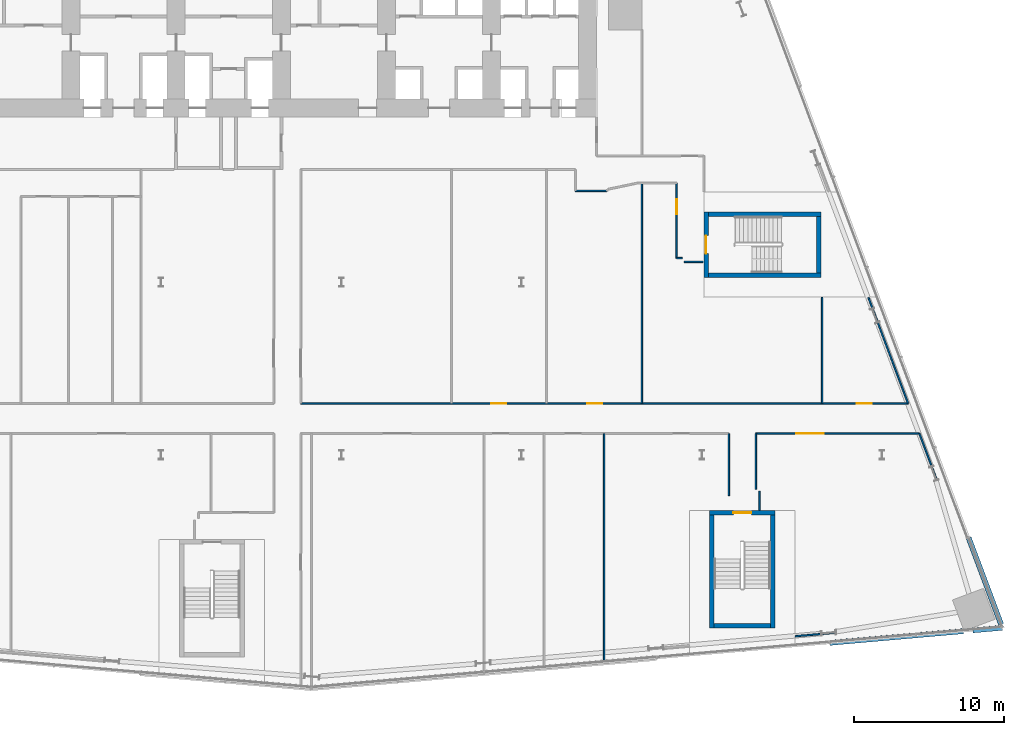
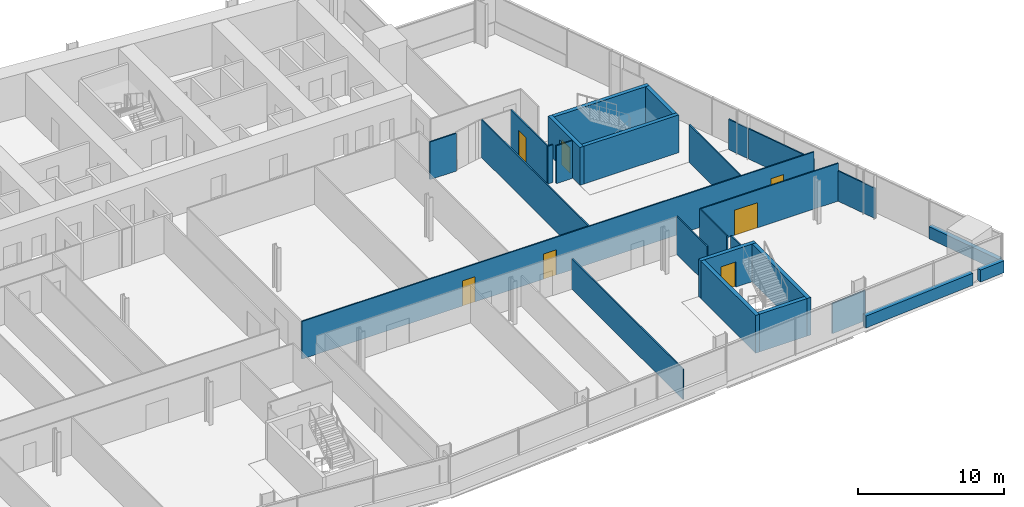
# One storey, part 18 of 24: 27 walls, 7 doors, 7 openings.
"""IFC4 building model written with IfcOpenShell, lengths in metres."""

from ifc_helpers import new_model, si_unit, direction, frame, frame_2d, origin, place, context, subcontext, project, spatial, rectangle, extrude, material, layer, layer_set, type_object, element, fill, save


model = new_model("IFC4")

# Units and contexts
model_context = context("Model", 3, precision=1e-05, world=origin(), true_north=direction((0.0, 1.0)))
body_context = subcontext(model_context, "Body", "Model", "MODEL_VIEW")
ifc_project = project(units=[si_unit("LENGTHUNIT", "METRE"), si_unit("AREAUNIT", "SQUARE_METRE"), si_unit("VOLUMEUNIT", "CUBIC_METRE"), si_unit("PLANEANGLEUNIT", "RADIAN"), si_unit("MASSUNIT", "GRAM", prefix="KILO")], contexts=[model_context])

# Site, building, storey
site_placement = place(None, origin())
site = spatial("IfcSite", under=ifc_project, at=site_placement, CompositionType="ELEMENT")
building_placement = place(site_placement, origin())
building = spatial("IfcBuilding", under=site, at=building_placement, Name="Wharfspan Tower", CompositionType="ELEMENT")
storey_placement = place(building_placement, frame((0.0, 0.0, 88.300049)))
storey = spatial("IfcBuildingStorey", under=building, at=storey_placement, Name="L19", CompositionType="ELEMENT", Elevation=88.300049)

# Wall, openings, doors
ifc_material_1 = material(Name="Gypsum board on steel studs", Category="steel")
ifc_layer_1 = layer(ifc_material_1, 0.100098)
ifc_layer_set_1 = layer_set([ifc_layer_1], Name="Gypsum board on steel studs")
wall_type_1 = type_object("IfcWallType", Name="Compartment wall 100 EI 60", PredefinedType="PARTITIONING", material=ifc_layer_set_1)
wall_1_placement = place(storey_placement, frame((45.300049, 14.929932, 0.0), z_axis=(0.0, 0.0, 1.0), x_axis=(1.0, 0.0, 0.0)))
wall_1 = element("IfcWall", 1, at=wall_1_placement, inside=storey, type_object=wall_type_1, Name="Partition L19.w034", PredefinedType="PARTITIONING", context=body_context, shape_type="SweptSolid", body=[
    extrude(rectangle(XDim=40.429932, YDim=0.100098, at=frame_2d((20.214844, 0.0))), origin(), (0.0, 0.0, 1.0), 3.149902),
])
opening_1_placement = place(wall_1_placement, frame((12.665039, 0.0, 0.0)))
opening_1 = element("IfcOpeningElement", 2, at=opening_1_placement, cuts=wall_1, Name="Opening A5-15", PredefinedType="OPENING", context=body_context, shape_type="SweptSolid", body=[
    extrude(rectangle(XDim=1.0, YDim=2.100098, at=frame_2d((0.5, 1.050049))), frame((0.0, 0.060059, 0.0), z_axis=(0.0, -1.0, 0.0), x_axis=(1.0, 0.0, 0.0)), (0.0, 0.0, 1.0), 0.120117),
])
opening_2_placement = place(wall_1_placement, frame((19.080078, 0.0, 0.0)))
opening_2 = element("IfcOpeningElement", 3, at=opening_2_placement, cuts=wall_1, Name="Opening A5-16", PredefinedType="OPENING", context=body_context, shape_type="SweptSolid", body=[
    extrude(rectangle(XDim=1.0, YDim=2.100098, at=frame_2d((0.5, 1.050049))), frame((0.0, 0.060059, 0.0), z_axis=(0.0, -1.0, 0.0), x_axis=(1.0, 0.0, 0.0)), (0.0, 0.0, 1.0), 0.120117),
])
opening_3_placement = place(wall_1_placement, frame((37.015381, 0.0, 0.0)))
opening_3 = element("IfcOpeningElement", 4, at=opening_3_placement, cuts=wall_1, Name="Opening A5-17", PredefinedType="OPENING", context=body_context, shape_type="SweptSolid", body=[
    extrude(rectangle(XDim=1.0, YDim=2.100098, at=frame_2d((0.5, 1.050049))), frame((0.0, 0.060059, 0.0), z_axis=(0.0, -1.0, 0.0), x_axis=(1.0, 0.0, 0.0)), (0.0, 0.0, 1.0), 0.120117),
])
ifc_material_2 = material(Name="Fire-rated timber door leaf in steel frame", Category="steel")
door_type_1 = type_object("IfcDoorType", Name="Door 1000 FD30S Left", OperationType="SINGLE_SWING_LEFT", PredefinedType="DOOR", material=ifc_material_2)
door_1_placement = place(opening_1_placement, origin())
door_1 = element("IfcDoor", 5, at=door_1_placement, inside=storey, type_object=door_type_1, Name="Door A5-15", OperationType="SINGLE_SWING_LEFT", OverallHeight=2.100098, OverallWidth=1.0, PredefinedType="DOOR", context=body_context, shape_type="SweptSolid", body=[
    extrude(rectangle(XDim=1.0, YDim=2.100098, at=frame_2d((0.5, 1.050049))), frame((0.0, 0.024902, 0.0), z_axis=(0.0, -1.0, 0.0), x_axis=(1.0, 0.0, 0.0)), (0.0, 0.0, 1.0), 0.050049),
])
fill(opening_1, door_1)
door_2_placement = place(opening_2_placement, origin())
door_2 = element("IfcDoor", 6, at=door_2_placement, inside=storey, type_object=door_type_1, Name="Door A5-16", OperationType="SINGLE_SWING_LEFT", OverallHeight=2.100098, OverallWidth=1.0, PredefinedType="DOOR", context=body_context, shape_type="SweptSolid", body=[
    extrude(rectangle(XDim=1.0, YDim=2.100098, at=frame_2d((0.5, 1.050049))), frame((0.0, 0.024902, 0.0), z_axis=(0.0, -1.0, 0.0), x_axis=(1.0, 0.0, 0.0)), (0.0, 0.0, 1.0), 0.050049),
])
fill(opening_2, door_2)
door_type_2 = type_object("IfcDoorType", Name="Door 1000 FD30S Right", OperationType="SINGLE_SWING_RIGHT", PredefinedType="DOOR", material=ifc_material_2)
door_3_placement = place(opening_3_placement, origin())
door_3 = element("IfcDoor", 7, at=door_3_placement, inside=storey, type_object=door_type_2, Name="Door A5-17", OperationType="SINGLE_SWING_RIGHT", OverallHeight=2.100098, OverallWidth=1.0, PredefinedType="DOOR", context=body_context, shape_type="SweptSolid", body=[
    extrude(rectangle(XDim=1.0, YDim=2.100098, at=frame_2d((0.5, 1.050049))), frame((0.0, 0.024902, 0.0), z_axis=(0.0, -1.0, 0.0), x_axis=(1.0, 0.0, 0.0)), (0.0, 0.0, 1.0), 0.050049),
])
fill(opening_3, door_3)

# Walls
wall_2_placement = place(storey_placement, frame((63.574951, 29.074951, 0.0), z_axis=(0.0, 0.0, 1.0), x_axis=(1.0, 0.0, 0.0)))
element("IfcWall", 8, at=wall_2_placement, inside=storey, type_object=wall_type_1, Name="Partition L19.w042", PredefinedType="PARTITIONING", context=body_context, shape_type="SweptSolid", body=[
    extrude(rectangle(XDim=2.080078, YDim=0.100098, at=frame_2d((1.040039, 0.0))), origin(), (0.0, 0.0, 1.0), 3.149902),
])
wall_3_placement = place(storey_placement, frame((65.5, -2.29834, 0.0), z_axis=(0.0, 0.0, 1.0), x_axis=(0.0, 1.0, 0.0)))
element("IfcWall", 9, at=wall_3_placement, inside=storey, type_object=wall_type_1, Name="Partition L19.w045", PredefinedType="PARTITIONING", context=body_context, shape_type="SweptSolid", body=[
    extrude(rectangle(XDim=15.223389, YDim=0.100098, at=frame_2d((7.611816, 0.0))), origin(), (0.0, 0.0, 1.0), 2.530029),
])
wall_4_placement = place(storey_placement, frame((68.0, 14.929932, 0.0), z_axis=(0.0, 0.0, 1.0), x_axis=(0.0, 1.0, 0.0)))
element("IfcWall", 10, at=wall_4_placement, inside=storey, type_object=wall_type_1, Name="Partition L19.w051", PredefinedType="PARTITIONING", context=body_context, shape_type="SweptSolid", body=[
    extrude(rectangle(XDim=14.670166, YDim=0.100098, at=frame_2d((7.334961, 0.0))), origin(), (0.0, 0.0, 1.0), 3.149902),
])

# Wall, opening, door
wall_5_placement = place(storey_placement, frame((70.324951, 24.600098, 0.0), z_axis=(0.0, 0.0, 1.0), x_axis=(0.0, 1.0, 0.0)))
wall_5 = element("IfcWall", 11, at=wall_5_placement, inside=storey, type_object=wall_type_1, Name="Partition L19.w054", PredefinedType="PARTITIONING", context=body_context, shape_type="SweptSolid", body=[
    extrude(rectangle(XDim=5.0, YDim=0.100098, at=frame_2d((2.5, 0.0))), origin(), (0.0, 0.0, 1.0), 3.149902),
])
opening_4_placement = place(wall_5_placement, frame((2.905029, 0.0, 0.0)))
opening_4 = element("IfcOpeningElement", 12, at=opening_4_placement, cuts=wall_5, Name="Opening A5-21", PredefinedType="OPENING", context=body_context, shape_type="SweptSolid", body=[
    extrude(rectangle(XDim=1.0, YDim=2.100098, at=frame_2d((0.5, 1.050049))), frame((0.0, 0.060059, 0.0), z_axis=(0.0, -1.0, 0.0), x_axis=(1.0, 0.0, 0.0)), (0.0, 0.0, 1.0), 0.120117),
])
door_4_placement = place(opening_4_placement, origin())
door_4 = element("IfcDoor", 13, at=door_4_placement, inside=storey, type_object=door_type_2, Name="Door A5-21", OperationType="SINGLE_SWING_RIGHT", OverallHeight=2.100098, OverallWidth=1.0, PredefinedType="DOOR", context=body_context, shape_type="SweptSolid", body=[
    extrude(rectangle(XDim=1.0, YDim=2.100098, at=frame_2d((0.5, 1.050049))), frame((0.0, 0.024902, 0.0), z_axis=(0.0, -1.0, 0.0), x_axis=(1.0, 0.0, 0.0)), (0.0, 0.0, 1.0), 0.050049),
])
fill(opening_4, door_4)

# Walls
wall_6_placement = place(storey_placement, frame((70.324951, 24.600098, 0.0), z_axis=(0.0, 0.0, 1.0), x_axis=(1.0, 0.0, 0.0)))
element("IfcWall", 14, at=wall_6_placement, inside=storey, type_object=wall_type_1, Name="Partition L19.w055", PredefinedType="PARTITIONING", context=body_context, shape_type="SweptSolid", body=[
    extrude(rectangle(XDim=0.380127, YDim=0.100098, at=frame_2d((0.189941, 0.0))), origin(), (0.0, 0.0, 1.0), 3.149902),
])
wall_7_placement = place(storey_placement, frame((70.824951, 24.350098, 0.0), z_axis=(0.0, 0.0, 1.0), x_axis=(1.0, 0.0, 0.0)))
element("IfcWall", 15, at=wall_7_placement, inside=storey, type_object=wall_type_1, Name="Partition L19.w056", PredefinedType="PARTITIONING", context=body_context, shape_type="SweptSolid", body=[
    extrude(rectangle(XDim=1.280029, YDim=0.100098, at=frame_2d((0.640137, 0.0))), origin(), (0.0, 0.0, 1.0), 3.149902),
])
wall_8_placement = place(storey_placement, frame((73.790039, 8.791992, 0.0), z_axis=(0.0, 0.0, 1.0), x_axis=(0.0, 1.0, 0.0)))
element("IfcWall", 16, at=wall_8_placement, inside=storey, type_object=wall_type_1, Name="Partition L19.w058", PredefinedType="PARTITIONING", context=body_context, shape_type="SweptSolid", body=[
    extrude(rectangle(XDim=4.133057, YDim=0.100098, at=frame_2d((2.066406, 0.0))), origin(), (0.0, 0.0, 1.0), 3.149902),
])
wall_9_placement = place(storey_placement, frame((75.594971, 9.209961, 0.0), z_axis=(0.0, 0.0, 1.0), x_axis=(0.0, 1.0, 0.0)))
element("IfcWall", 17, at=wall_9_placement, inside=storey, type_object=wall_type_1, Name="Partition L19.w059", PredefinedType="PARTITIONING", context=body_context, shape_type="SweptSolid", body=[
    extrude(rectangle(XDim=3.715088, YDim=0.100098, at=frame_2d((1.857422, 0.0))), origin(), (0.0, 0.0, 1.0), 3.149902),
])

# Wall, opening, door
wall_10_placement = place(storey_placement, frame((75.594971, 12.925049, 0.0), z_axis=(0.0, 0.0, 1.0), x_axis=(1.0, 0.0, 0.0)))
wall_10 = element("IfcWall", 18, at=wall_10_placement, inside=storey, type_object=wall_type_1, Name="Partition L19.w060", PredefinedType="PARTITIONING", context=body_context, shape_type="SweptSolid", body=[
    extrude(rectangle(XDim=10.88501, YDim=0.100098, at=frame_2d((5.442383, 0.0))), origin(), (0.0, 0.0, 1.0), 3.149902),
])
opening_5_placement = place(wall_10_placement, frame((2.702393, 0.0, 0.0)))
opening_5 = element("IfcOpeningElement", 19, at=opening_5_placement, cuts=wall_10, Name="Opening A5-11", PredefinedType="OPENING", context=body_context, shape_type="SweptSolid", body=[
    extrude(rectangle(XDim=1.800049, YDim=2.100098, at=frame_2d((0.899902, 1.050049))), frame((0.0, 0.060059, 0.0), z_axis=(0.0, -1.0, 0.0), x_axis=(1.0, 0.0, 0.0)), (0.0, 0.0, 1.0), 0.120117),
])
door_type_3 = type_object("IfcDoorType", Name="Door 1800 FD30S Double", OperationType="DOUBLE_DOOR_SINGLE_SWING", PredefinedType="DOOR", material=ifc_material_2)
door_5_placement = place(opening_5_placement, origin())
door_5 = element("IfcDoor", 20, at=door_5_placement, inside=storey, type_object=door_type_3, Name="Door A5-11", OperationType="DOUBLE_DOOR_SINGLE_SWING", OverallHeight=2.100098, OverallWidth=1.800049, PredefinedType="DOOR", context=body_context, shape_type="SweptSolid", body=[
    extrude(rectangle(XDim=1.800049, YDim=2.100098, at=frame_2d((0.899902, 1.050049))), frame((0.0, 0.024902, 0.0), z_axis=(0.0, -1.0, 0.0), x_axis=(1.0, 0.0, 0.0)), (0.0, 0.0, 1.0), 0.050049),
])
fill(opening_5, door_5)

# Walls
wall_11_placement = place(storey_placement, frame((75.844971, 7.812012, 0.0), z_axis=(0.0, 0.0, 1.0), x_axis=(0.0, 1.0, 0.0)))
element("IfcWall", 21, at=wall_11_placement, inside=storey, type_object=wall_type_1, Name="Partition L19.w061", PredefinedType="PARTITIONING", context=body_context, shape_type="SweptSolid", body=[
    extrude(rectangle(XDim=1.278076, YDim=0.100098, at=frame_2d((0.63916, 0.0))), origin(), (0.0, 0.0, 1.0), 3.149902),
])
wall_12_placement = place(storey_placement, frame((80.0, 14.929932, 0.0), z_axis=(0.0, 0.0, 1.0), x_axis=(0.0, 1.0, 0.0)))
element("IfcWall", 22, at=wall_12_placement, inside=storey, type_object=wall_type_1, Name="Partition L19.w063", PredefinedType="PARTITIONING", context=body_context, shape_type="SweptSolid", body=[
    extrude(rectangle(XDim=7.050049, YDim=0.100098, at=frame_2d((3.524902, 0.0))), origin(), (0.0, 0.0, 1.0), 3.149902),
])
wall_13_placement = place(storey_placement, frame((85.72998, 14.929932, 0.0), z_axis=(0.0, 0.0, 1.0), x_axis=(-0.351501, 0.936189, 0.0)))
element("IfcWall", 23, at=wall_13_placement, inside=storey, type_object=wall_type_1, Name="Partition L19.w066", PredefinedType="PARTITIONING", context=body_context, shape_type="SweptSolid", body=[
    extrude(rectangle(XDim=5.746826, YDim=0.100098, at=frame_2d((2.873535, 0.0))), origin(), (0.0, 0.0, 1.0), 2.530029),
])
wall_14_placement = place(storey_placement, frame((87.649902, 9.810059, 0.0), z_axis=(0.0, 0.0, 1.0), x_axis=(-0.351597, 0.936149, 0.0)))
element("IfcWall", 24, at=wall_14_placement, inside=storey, type_object=wall_type_1, Name="Partition L19.w067", PredefinedType="PARTITIONING", context=body_context, shape_type="SweptSolid", body=[
    extrude(rectangle(XDim=3.327393, YDim=0.100098, at=frame_2d((1.663574, 0.0))), origin(), (0.0, 0.0, 1.0), 2.530029),
])
ifc_layer_2 = layer(ifc_material_1, 0.100098)
ifc_layer_set_2 = layer_set([ifc_layer_2], Name="Gypsum board on steel studs")
wall_type_2 = type_object("IfcWallType", Name="Partition 100", PredefinedType="PARTITIONING", material=ifc_layer_set_2)
wall_15_placement = place(storey_placement, frame((78.212402, -0.572998, 0.0), z_axis=(0.0, 0.0, 1.0), x_axis=(0.996224, 0.086779, 0.0)))
element("IfcWall", 25, at=wall_15_placement, inside=storey, type_object=wall_type_2, Name="Partition L19.w062", PredefinedType="PARTITIONING", context=body_context, shape_type="SweptSolid", body=[
    extrude(rectangle(XDim=2.74292, YDim=0.100098, at=frame_2d((1.371582, 0.0))), origin(), (0.0, 0.0, 1.0), 2.530029),
])
wall_16_placement = place(storey_placement, frame((83.709961, 20.310059, 0.0), z_axis=(0.0, 0.0, 1.0), x_axis=(-0.349322, 0.937005, 0.0)))
element("IfcWall", 26, at=wall_16_placement, inside=storey, type_object=wall_type_2, Name="Partition L19.w065", PredefinedType="PARTITIONING", context=body_context, shape_type="SweptSolid", body=[
    extrude(rectangle(XDim=1.782227, YDim=0.100098, at=frame_2d((0.891113, 0.0))), origin(), (0.0, 0.0, 1.0), 2.530029),
])
ifc_material_3 = material(Name="Concrete C40/50", Category="concrete")
ifc_layer_3 = layer(ifc_material_3, 0.350098)
ifc_layer_set_3 = layer_set([ifc_layer_3], Name="Concrete C40/50")
wall_type_3 = type_object("IfcWallType", Name="SPANDREL EXPOSED CONCRETE 350", PredefinedType="SOLIDWALL", material=ifc_layer_set_3)
wall_17_placement = place(storey_placement, frame((80.530273, -1.008545, 0.0), z_axis=(0.0, 0.0, 1.0), x_axis=(0.996198, 0.087169, 0.0)))
element("IfcWall", 27, at=wall_17_placement, inside=storey, type_object=wall_type_3, Name="Spandrel upstand L19 S2 2", PredefinedType="SOLIDWALL", context=body_context, shape_type="SweptSolid", body=[
    extrude(rectangle(XDim=8.912109, YDim=0.350098, at=frame_2d((4.456055, 0.0))), origin(), (0.0, 0.0, 1.0), 1.0),
])
wall_18_placement = place(storey_placement, frame((90.039062, -0.176514, 0.0), z_axis=(0.0, 0.0, 1.0), x_axis=(0.996193, 0.08717, 0.0)))
element("IfcWall", 28, at=wall_18_placement, inside=storey, type_object=wall_type_3, Name="Spandrel upstand L19 S2 3", PredefinedType="SOLIDWALL", context=body_context, shape_type="SweptSolid", body=[
    extrude(rectangle(XDim=1.968994, YDim=0.350098, at=frame_2d((0.984375, 0.0))), origin(), (0.0, 0.0, 1.0), 1.0),
])
wall_19_placement = place(storey_placement, frame((91.926025, 0.211182, 0.0), z_axis=(0.0, 0.0, 1.0), x_axis=(-0.351118, 0.936328, 0.0)))
element("IfcWall", 29, at=wall_19_placement, inside=storey, type_object=wall_type_3, Name="Spandrel upstand L19 E 1", PredefinedType="SOLIDWALL", context=body_context, shape_type="SweptSolid", body=[
    extrude(rectangle(XDim=6.154297, YDim=0.350098, at=frame_2d((3.077148, 0.0))), origin(), (0.0, 0.0, 1.0), 1.0),
])

# Wall, opening, door
ifc_layer_4 = layer(ifc_material_3, 0.300049)
ifc_layer_set_4 = layer_set([ifc_layer_4], Name="Concrete C40/50")
wall_type_4 = type_object("IfcWallType", Name="Stair core wall 300", PredefinedType="SHEAR", material=ifc_layer_set_4)
wall_20_placement = place(storey_placement, frame((72.517578, 7.64209, 0.0), z_axis=(0.0, 0.0, 1.0), x_axis=(1.0, 0.0, 0.0)))
wall_20 = element("IfcWall", 30, at=wall_20_placement, inside=storey, type_object=wall_type_4, Name="ST5 stair enclosure wall L19", PredefinedType="SHEAR", context=body_context, shape_type="SweptSolid", body=[
    extrude(rectangle(XDim=4.349854, YDim=0.300049, at=frame_2d((2.174805, 0.0))), origin(), (0.0, 0.0, 1.0), 3.149902),
])
opening_6_placement = place(wall_20_placement, frame((1.574951, 0.0, 0.0)))
opening_6 = element("IfcOpeningElement", 31, at=opening_6_placement, cuts=wall_20, Name="Opening SD5.L19", PredefinedType="OPENING", context=body_context, shape_type="SweptSolid", body=[
    extrude(rectangle(XDim=1.199951, YDim=2.100098, at=frame_2d((0.600098, 1.050049))), frame((0.0, 0.159912, 0.0), z_axis=(0.0, -1.0, 0.0), x_axis=(1.0, 0.0, 0.0)), (0.0, 0.0, 1.0), 0.320068),
])
ifc_material_4 = material(Name="Steel door leaf", Category="steel")
door_type_4 = type_object("IfcDoorType", Name="Stair door 1200x2100", OperationType="SINGLE_SWING_LEFT", PredefinedType="DOOR", material=ifc_material_4)
door_6_placement = place(opening_6_placement, origin())
door_6 = element("IfcDoor", 32, at=door_6_placement, inside=storey, type_object=door_type_4, Name="sd:L19:ST5z1", OperationType="SINGLE_SWING_RIGHT", OverallHeight=2.100098, OverallWidth=1.199951, PredefinedType="DOOR", context=body_context, shape_type="SweptSolid", body=[
    extrude(rectangle(XDim=1.199951, YDim=2.100098, at=frame_2d((0.600098, 1.050049))), frame((0.0, 0.024902, 0.0), z_axis=(0.0, -1.0, 0.0), x_axis=(1.0, 0.0, 0.0)), (0.0, 0.0, 1.0), 0.050049),
])
fill(opening_6, door_6)

wall_21_placement = place(storey_placement, frame((72.274902, 23.324951, 0.0), z_axis=(0.0, 0.0, 1.0), x_axis=(0.0, 1.0, 0.0)))
wall_21 = element("IfcWall", 33, at=wall_21_placement, inside=storey, type_object=wall_type_4, Name="ST6 stair enclosure wall L19", PredefinedType="SHEAR", context=body_context, shape_type="SweptSolid", body=[
    extrude(rectangle(XDim=4.350098, YDim=0.300049, at=frame_2d((2.175049, 0.0))), origin(), (0.0, 0.0, 1.0), 3.149902),
])
opening_7_placement = place(wall_21_placement, frame((1.574951, 0.0, 0.0)))
opening_7 = element("IfcOpeningElement", 34, at=opening_7_placement, cuts=wall_21, Name="Opening SD6.L19", PredefinedType="OPENING", context=body_context, shape_type="SweptSolid", body=[
    extrude(rectangle(XDim=1.199951, YDim=2.100098, at=frame_2d((0.600098, 1.050049))), frame((0.0, 0.159912, 0.0), z_axis=(0.0, -1.0, 0.0), x_axis=(1.0, 0.0, 0.0)), (0.0, 0.0, 1.0), 0.320068),
])
door_7_placement = place(opening_7_placement, origin())
door_7 = element("IfcDoor", 35, at=door_7_placement, inside=storey, type_object=door_type_4, Name="sd:L19:ST6z1", OperationType="SINGLE_SWING_RIGHT", OverallHeight=2.100098, OverallWidth=1.199951, PredefinedType="DOOR", context=body_context, shape_type="SweptSolid", body=[
    extrude(rectangle(XDim=1.199951, YDim=2.100098, at=frame_2d((0.600098, 1.050049))), frame((0.0, 0.024902, 0.0), z_axis=(0.0, -1.0, 0.0), x_axis=(1.0, 0.0, 0.0)), (0.0, 0.0, 1.0), 0.050049),
])
fill(opening_7, door_7)

# Walls
for number, where, z_axis, x_axis, name in (
    (36, (72.66748, -0.008057, 0.0), (0.0, 0.0, 1.0), (0.0, 1.0, 0.0), "ST5 stair enclosure wall L19"),
    (37, (76.717529, -0.008057, 0.0), (0.0, 0.0, 1.0), (0.0, 1.0, 0.0), "ST5 stair enclosure wall L19"),
):
    element("IfcWall", number, at=place(storey_placement, frame(where, z_axis=z_axis, x_axis=x_axis)), inside=storey, type_object=wall_type_4, Name=name, PredefinedType="SHEAR", context=body_context, shape_type="SweptSolid", body=[
        extrude(rectangle(XDim=7.5, YDim=0.300049, at=frame_2d((3.75, 0.0))), origin(), (0.0, 0.0, 1.0), 3.149902),
    ])
wall_22_placement = place(storey_placement, frame((72.817383, 0.14209, 0.0), z_axis=(0.0, 0.0, 1.0), x_axis=(1.0, 0.0, 0.0)))
element("IfcWall", 38, at=wall_22_placement, inside=storey, type_object=wall_type_4, Name="ST5 stair enclosure wall L19", PredefinedType="SHEAR", context=body_context, shape_type="SweptSolid", body=[
    extrude(rectangle(XDim=3.75, YDim=0.300049, at=frame_2d((1.875, 0.0))), origin(), (0.0, 0.0, 1.0), 3.149902),
])
for number, where, z_axis, x_axis, name in (
    (39, (72.425049, 23.475098, 0.0), (0.0, 0.0, 1.0), (1.0, 0.0, 0.0), "ST6 stair enclosure wall L19"),
    (40, (72.425049, 27.524902, 0.0), (0.0, 0.0, 1.0), (1.0, 0.0, 0.0), "ST6 stair enclosure wall L19"),
):
    element("IfcWall", number, at=place(storey_placement, frame(where, z_axis=z_axis, x_axis=x_axis)), inside=storey, type_object=wall_type_4, Name=name, PredefinedType="SHEAR", context=body_context, shape_type="SweptSolid", body=[
        extrude(rectangle(XDim=7.5, YDim=0.300049, at=frame_2d((3.75, 0.0))), origin(), (0.0, 0.0, 1.0), 3.149902),
    ])
wall_23_placement = place(storey_placement, frame((79.774902, 23.625, 0.0), z_axis=(0.0, 0.0, 1.0), x_axis=(0.0, 1.0, 0.0)))
element("IfcWall", 41, at=wall_23_placement, inside=storey, type_object=wall_type_4, Name="ST6 stair enclosure wall L19", PredefinedType="SHEAR", context=body_context, shape_type="SweptSolid", body=[
    extrude(rectangle(XDim=3.75, YDim=0.300049, at=frame_2d((1.875, 0.0))), origin(), (0.0, 0.0, 1.0), 3.149902),
])

save(model, "model.ifc")
